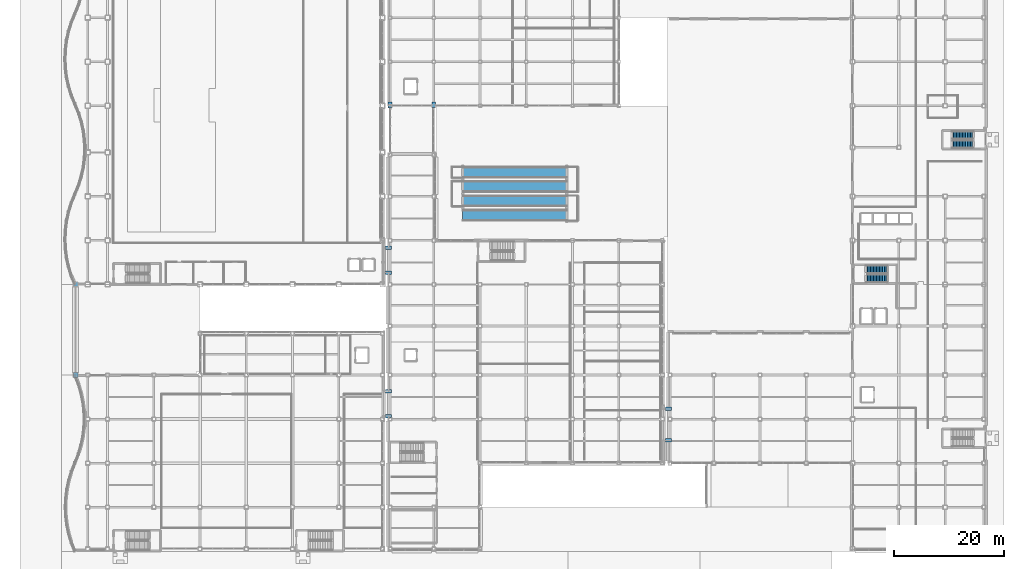
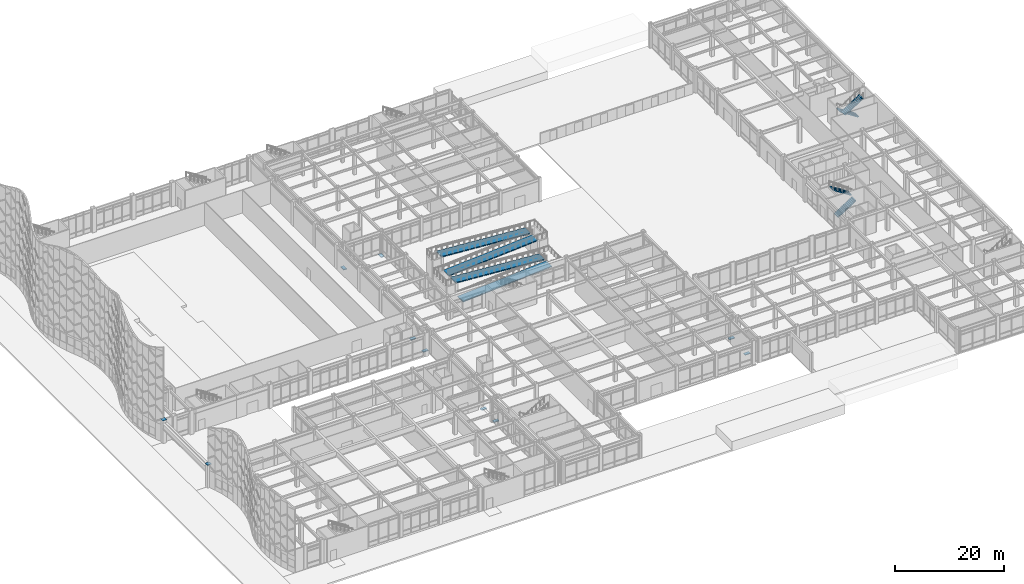
# One storey, part 138 of 165: 10 discrete accessories, 4 ramp flights, 4 stair flights, 3 elements without a shape of their own.
"""IFC4 building model written with IfcOpenShell, lengths in metres."""

from ifc_helpers import new_model, si_unit, direction, frame, origin, origin_2d, place, context, subcontext, project, spatial, polyline, rectangle, outline, extrude, material, layer, layer_set, type_object, element, aggregate, save


model = new_model("IFC4")

# Units and contexts
model_context = context("Model", 3, precision=1e-05, world=origin(), true_north=direction((0.0, 1.0)))
body_context = subcontext(model_context, "Body", "Model", "MODEL_VIEW")
ifc_project = project(units=[si_unit("LENGTHUNIT", "METRE"), si_unit("AREAUNIT", "SQUARE_METRE"), si_unit("VOLUMEUNIT", "CUBIC_METRE"), si_unit("PLANEANGLEUNIT", "RADIAN"), si_unit("MASSUNIT", "GRAM", prefix="KILO")], contexts=[model_context])

# Site, building, storey
site_placement = place(None, origin())
site = spatial("IfcSite", under=ifc_project, at=site_placement, CompositionType="ELEMENT")
building_placement = place(site_placement, origin())
building = spatial("IfcBuilding", under=site, at=building_placement, Name="Kazehara Bluff Congress Hotel", CompositionType="ELEMENT")
storey_placement = place(building_placement, origin())
storey = spatial("IfcBuildingStorey", under=building, at=storey_placement, Name="L00", CompositionType="ELEMENT", Elevation=0.0)

# Stair, stair flights
ifc_material_1 = material(Name="Concrete C36/45", Category="concrete")
stair_type = type_object("IfcStairType", Name="TP-ST-T03", PredefinedType="HALF_TURN_STAIR", material=ifc_material_1)
stair_1_placement = place(storey_placement, origin())
stair_1 = element("IfcStair", 1, at=stair_1_placement, inside=storey, type_object=stair_type, Name="L00 Escape stair ST-11", PredefinedType="HALF_TURN_STAIR")
ifc_material_2 = material(Name="Concrete C36/45", Category="concrete")
stair_flight_type = type_object("IfcStairFlightType", Name="TP-SF-T03", PredefinedType="STRAIGHT", material=ifc_material_2)
stair_flight_1_placement = place(storey_placement, frame((146.10009765625, 49.52490234375, 0.0), z_axis=(0.0, 0.0, 1.0), x_axis=(1.0, 0.0, 0.0)))
stair_flight_1 = element("IfcStairFlight", 2, at=stair_flight_1_placement, type_object=stair_flight_type, Name="ST-11 flight 1", NumberOfRisers=15, NumberOfTreads=14, PredefinedType="STRAIGHT", RiserHeight=0.18, TreadLength=0.28, context=body_context, shape_type="SweptSolid", body=[
    extrude(outline(polyline([(0.0, 0.0), (0.0, 0.179931640625), (0.280029296875, 0.179931640625), (0.280029296875, 0.360107421875), (0.56005859375, 0.360107421875), (0.56005859375, 0.5400390625), (0.840087890625, 0.5400390625), (0.840087890625, 0.719970703125), (1.1201171875, 0.719970703125), (1.1201171875, 0.89990234375), (1.39990234375, 0.89990234375), (1.39990234375, 1.080078125), (1.679931640625, 1.080078125), (1.679931640625, 1.260009765625), (1.9599609375, 1.260009765625), (1.9599609375, 1.43994140625), (2.239990234375, 1.43994140625), (2.239990234375, 1.6201171875), (2.52001953125, 1.6201171875), (2.52001953125, 1.800048828125), (2.800048828125, 1.800048828125), (2.800048828125, 1.97998046875), (3.080078125, 1.97998046875), (3.080078125, 2.159912109375), (3.360107421875, 2.159912109375), (3.360107421875, 2.340087890625), (3.639892578125, 2.340087890625), (3.639892578125, 2.52001953125), (3.919921875, 2.52001953125), (3.919921875, 2.699951171875), (3.919921875, 2.329833984375), (0.295654296875, 0.0), (0.0, 0.0)])), frame((0.0, 0.72509765625, 0.0), z_axis=(0.0, -1.0, 0.0), x_axis=(1.0, 0.0, 0.0)), (0.0, 0.0, 1.0), 1.449951171875),
])
stair_flight_2_placement = place(storey_placement, frame((150.02001953125, 51.175048828125, 2.699951171875), z_axis=(0.0, 0.0, 1.0), x_axis=(-1.0, 0.0, 0.0)))
stair_flight_2 = element("IfcStairFlight", 3, at=stair_flight_2_placement, type_object=stair_flight_type, Name="ST-11 flight 2", NumberOfRisers=15, NumberOfTreads=14, PredefinedType="STRAIGHT", RiserHeight=0.18, TreadLength=0.28, context=body_context, shape_type="SweptSolid", body=[
    extrude(outline(polyline([(0.0, 0.0), (0.0, 0.179931640625), (0.280029296875, 0.179931640625), (0.280029296875, 0.360107421875), (0.56005859375, 0.360107421875), (0.56005859375, 0.5400390625), (0.840087890625, 0.5400390625), (0.840087890625, 0.719970703125), (1.1201171875, 0.719970703125), (1.1201171875, 0.89990234375), (1.39990234375, 0.89990234375), (1.39990234375, 1.080078125), (1.679931640625, 1.080078125), (1.679931640625, 1.260009765625), (1.9599609375, 1.260009765625), (1.9599609375, 1.43994140625), (2.239990234375, 1.43994140625), (2.239990234375, 1.6201171875), (2.52001953125, 1.6201171875), (2.52001953125, 1.800048828125), (2.800048828125, 1.800048828125), (2.800048828125, 1.97998046875), (3.080078125, 1.97998046875), (3.080078125, 2.159912109375), (3.360107421875, 2.159912109375), (3.360107421875, 2.340087890625), (3.639892578125, 2.340087890625), (3.639892578125, 2.52001953125), (3.919921875, 2.52001953125), (3.919921875, 2.699951171875), (3.919921875, 2.329833984375), (0.295654296875, 0.0), (0.0, 0.0)])), frame((0.0, 0.72509765625, 0.0), z_axis=(0.0, -1.0, 0.0), x_axis=(1.0, 0.0, 0.0)), (0.0, 0.0, 1.0), 1.449951171875),
])
aggregate(stair_1, [stair_flight_1, stair_flight_2])

stair_2_placement = place(storey_placement, origin())
stair_2 = element("IfcStair", 4, at=stair_2_placement, inside=storey, type_object=stair_type, Name="L00 Escape stair ST-12", PredefinedType="HALF_TURN_STAIR")
stair_flight_3_placement = place(storey_placement, frame((165.64990234375, 75.574951171875, 0.0), z_axis=(0.0, 0.0, 1.0), x_axis=(-1.0, 0.0, 0.0)))
stair_flight_3 = element("IfcStairFlight", 5, at=stair_flight_3_placement, type_object=stair_flight_type, Name="ST-12 flight 1", NumberOfRisers=15, NumberOfTreads=14, PredefinedType="STRAIGHT", RiserHeight=0.18, TreadLength=0.28, context=body_context, shape_type="SweptSolid", body=[
    extrude(outline(polyline([(0.0, 0.0), (0.0, 0.179931640625), (0.280029296875, 0.179931640625), (0.280029296875, 0.360107421875), (0.56005859375, 0.360107421875), (0.56005859375, 0.5400390625), (0.840087890625, 0.5400390625), (0.840087890625, 0.719970703125), (1.1201171875, 0.719970703125), (1.1201171875, 0.89990234375), (1.39990234375, 0.89990234375), (1.39990234375, 1.080078125), (1.679931640625, 1.080078125), (1.679931640625, 1.260009765625), (1.9599609375, 1.260009765625), (1.9599609375, 1.43994140625), (2.239990234375, 1.43994140625), (2.239990234375, 1.6201171875), (2.52001953125, 1.6201171875), (2.52001953125, 1.800048828125), (2.800048828125, 1.800048828125), (2.800048828125, 1.97998046875), (3.080078125, 1.97998046875), (3.080078125, 2.159912109375), (3.360107421875, 2.159912109375), (3.360107421875, 2.340087890625), (3.639892578125, 2.340087890625), (3.639892578125, 2.52001953125), (3.919921875, 2.52001953125), (3.919921875, 2.699951171875), (3.919921875, 2.329833984375), (0.295654296875, 0.0), (0.0, 0.0)])), frame((0.0, 0.72509765625, 0.0), z_axis=(0.0, -1.0, 0.0), x_axis=(1.0, 0.0, 0.0)), (0.0, 0.0, 1.0), 1.449951171875),
])
stair_flight_4_placement = place(storey_placement, frame((161.72998046875, 73.925048828125, 2.699951171875), z_axis=(0.0, 0.0, 1.0), x_axis=(1.0, 0.0, 0.0)))
stair_flight_4 = element("IfcStairFlight", 6, at=stair_flight_4_placement, type_object=stair_flight_type, Name="ST-12 flight 2", NumberOfRisers=15, NumberOfTreads=14, PredefinedType="STRAIGHT", RiserHeight=0.18, TreadLength=0.28, context=body_context, shape_type="SweptSolid", body=[
    extrude(outline(polyline([(0.0, 0.0), (0.0, 0.179931640625), (0.280029296875, 0.179931640625), (0.280029296875, 0.360107421875), (0.56005859375, 0.360107421875), (0.56005859375, 0.5400390625), (0.840087890625, 0.5400390625), (0.840087890625, 0.719970703125), (1.1201171875, 0.719970703125), (1.1201171875, 0.89990234375), (1.39990234375, 0.89990234375), (1.39990234375, 1.080078125), (1.679931640625, 1.080078125), (1.679931640625, 1.260009765625), (1.9599609375, 1.260009765625), (1.9599609375, 1.43994140625), (2.239990234375, 1.43994140625), (2.239990234375, 1.6201171875), (2.52001953125, 1.6201171875), (2.52001953125, 1.800048828125), (2.800048828125, 1.800048828125), (2.800048828125, 1.97998046875), (3.080078125, 1.97998046875), (3.080078125, 2.159912109375), (3.360107421875, 2.159912109375), (3.360107421875, 2.340087890625), (3.639892578125, 2.340087890625), (3.639892578125, 2.52001953125), (3.919921875, 2.52001953125), (3.919921875, 2.699951171875), (3.919921875, 2.329833984375), (0.295654296875, 0.0), (0.0, 0.0)])), frame((0.0, 0.72509765625, 0.0), z_axis=(0.0, -1.0, 0.0), x_axis=(1.0, 0.0, 0.0)), (0.0, 0.0, 1.0), 1.449951171875),
])
aggregate(stair_2, [stair_flight_3, stair_flight_4])

# Ramp, ramp flights
ifc_material_3 = material(Name="Concrete C36/45", Category="concrete")
ramp_type = type_object("IfcRampType", Name="TP-RMP-ACC", PredefinedType="TWO_STRAIGHT_RUN_RAMP", material=ifc_material_3)
ramp_placement = place(storey_placement, origin())
ramp = element("IfcRamp", 7, at=ramp_placement, inside=storey, type_object=ramp_type, Name="Accessible bluff garden ramp R2", PredefinedType="TWO_STRAIGHT_RUN_RAMP")
ifc_material_4 = material(Name="Concrete C36/45", Category="concrete")
ifc_layer_1 = layer(ifc_material_4, 0.219970703125)
ifc_layer_set_1 = layer_set([ifc_layer_1], Name="Concrete C36/45")
ramp_flight_type = type_object("IfcRampFlightType", Name="TP-RFL-ACC", PredefinedType="STRAIGHT", material=ifc_layer_set_1)
ramp_flight_1_placement = place(storey_placement, frame((72.89990234375, 60.0, 0.0), z_axis=(-0.071251628258, 0.0, 0.997458372801), x_axis=(0.997458372801, 0.0, 0.071251628258)))
ramp_flight_1 = element("IfcRampFlight", 8, at=ramp_flight_1_placement, type_object=ramp_flight_type, Name="Accessible bluff garden ramp R2 flight F1", PredefinedType="STRAIGHT", context=body_context, shape_type="SweptSolid", body=[
    extrude(outline(polyline([(0.0, 0.0), (18.948306014318124, 0.0), (18.948306014318124, 2.0), (0.0, 2.0), (0.0, 0.0)])), origin(), (0.0, 0.0, -1.0), 0.219970703125),
])
ramp_flight_2_placement = place(storey_placement, frame((91.800048828125, 62.60009765625, 1.35009765625), z_axis=(0.07123880909, 0.0, 0.997459288432), x_axis=(-0.997459288432, 0.0, 0.07123880909)))
ramp_flight_2 = element("IfcRampFlight", 9, at=ramp_flight_2_placement, type_object=ramp_flight_type, Name="Accessible bluff garden ramp R2 flight F2", PredefinedType="STRAIGHT", context=body_context, shape_type="SweptSolid", body=[
    extrude(outline(polyline([(0.0, 0.0), (18.94828862046591, 0.0), (18.94828862046591, -2.0), (0.0, -2.0), (0.0, 0.0)])), origin(), (0.0, 0.0, -1.0), 0.219970703125),
])
ramp_flight_3_placement = place(storey_placement, frame((72.89990234375, 65.199951171875, 2.699951171875), z_axis=(-0.071251628258, 0.0, 0.997458372801), x_axis=(0.997458372801, 0.0, 0.071251628258)))
ramp_flight_3 = element("IfcRampFlight", 10, at=ramp_flight_3_placement, type_object=ramp_flight_type, Name="Accessible bluff garden ramp R2 flight F3", PredefinedType="STRAIGHT", context=body_context, shape_type="SweptSolid", body=[
    extrude(outline(polyline([(0.0, 0.0), (18.948306014318124, 0.0), (18.948306014318124, 2.0), (0.0, 2.0), (0.0, 0.0)])), origin(), (0.0, 0.0, -1.0), 0.219970703125),
])
ramp_flight_4_placement = place(storey_placement, frame((91.800048828125, 67.800048828125, 4.050048828125), z_axis=(0.07123880909, 0.0, 0.997459288432), x_axis=(-0.997459288432, 0.0, 0.07123880909)))
ramp_flight_4 = element("IfcRampFlight", 11, at=ramp_flight_4_placement, type_object=ramp_flight_type, Name="Accessible bluff garden ramp R2 flight F4", PredefinedType="STRAIGHT", context=body_context, shape_type="SweptSolid", body=[
    extrude(outline(polyline([(0.0, 0.0), (18.94828862046591, 0.0), (18.94828862046591, -2.0), (0.0, -2.0), (0.0, 0.0)])), origin(), (0.0, 0.0, -1.0), 0.219970703125),
])
aggregate(ramp, [ramp_flight_1, ramp_flight_2, ramp_flight_3, ramp_flight_4])

# Discrete accessories
ifc_material_5 = material(Name="Steel SN490B", Category="steel")
ifc_layer_2 = layer(ifc_material_5, 0.06005859375)
ifc_layer_set_2 = layer_set([ifc_layer_2], Name="Steel SN490B")
discrete_accessory_type_1 = type_object("IfcDiscreteAccessoryType", Name="TP-CAP-BLK", PredefinedType="BRACKET", material=ifc_layer_set_2)
for number, where, z_axis, x_axis, name in (
    (12, (2.60009765625, 32.0, 5.119873046875), (0.0, 0.0, 1.0), (1.0, 0.0, 0.0), "Hollow column welded cap plate L00 358"),
    (13, (2.60009765625, 48.449951171875, 5.119873046875), (0.0, 0.0, 1.0), (1.0, 0.0, 0.0), "Hollow column welded cap plate L00 359"),
):
    element("IfcDiscreteAccessory", number, at=place(storey_placement, frame(where, z_axis=z_axis, x_axis=x_axis)), inside=storey, type_object=discrete_accessory_type_1, Name=name, PredefinedType="BRACKET", context=body_context, shape_type="SweptSolid", body=[
        extrude(rectangle(XDim=0.840087890625, YDim=0.840087890625, at=origin_2d()), origin(), (0.0, 0.0, 1.0), 0.06005859375),
    ])
ifc_material_6 = material(Name="Steel SN490B", Category="steel")
ifc_layer_3 = layer(ifc_material_6, 0.179931640625)
ifc_layer_set_3 = layer_set([ifc_layer_3], Name="Steel SN490B")
discrete_accessory_type_2 = type_object("IfcDiscreteAccessoryType", Name="TP-SJ-BRG", PredefinedType="BRACKET", material=ifc_layer_set_3)
for number, where, z_axis, x_axis, name in (
    (14, (59.389892578125, 50.60009765625, -0.68017578125), (0.0, 0.0, 1.0), (1.0, 0.0, 0.0), "PTFE sliding bearing SJ-BRG BRG-14 L00-1"),
    (15, (59.389892578125, 55.10009765625, -0.68017578125), (0.0, 0.0, 1.0), (1.0, 0.0, 0.0), "PTFE sliding bearing SJ-BRG BRG-14 L00-2"),
    (16, (59.389892578125, 24.550048828125, -0.68017578125), (0.0, 0.0, 1.0), (1.0, 0.0, 0.0), "PTFE sliding bearing SJ-BRG BRG-24 L00-1"),
    (17, (59.389892578125, 29.050048828125, -0.68017578125), (0.0, 0.0, 1.0), (1.0, 0.0, 0.0), "PTFE sliding bearing SJ-BRG BRG-24 L00-2"),
):
    element("IfcDiscreteAccessory", number, at=place(storey_placement, frame(where, z_axis=z_axis, x_axis=x_axis)), inside=storey, type_object=discrete_accessory_type_2, Name=name, PredefinedType="BRACKET", context=body_context, shape_type="SweptSolid", body=[
        extrude(rectangle(XDim=1.10009765625, YDim=0.64990234375, at=origin_2d()), origin(), (0.0, 0.0, 1.0), 0.179931640625),
    ])
for number, where, z_axis, x_axis, name in (
    (18, (59.699951171875, 81.0400390625, -0.68017578125), (0.0, 0.0, 1.0), (1.0, 0.0, 0.0), "PTFE sliding bearing SJ-BRG BRG-34 L00-1"),
    (19, (67.64990234375, 81.0400390625, -0.68017578125), (0.0, 0.0, 1.0), (1.0, 0.0, 0.0), "PTFE sliding bearing SJ-BRG BRG-34 L00-2"),
):
    element("IfcDiscreteAccessory", number, at=place(storey_placement, frame(where, z_axis=z_axis, x_axis=x_axis)), inside=storey, type_object=discrete_accessory_type_2, Name=name, PredefinedType="BRACKET", context=body_context, shape_type="SweptSolid", body=[
        extrude(rectangle(XDim=0.64990234375, YDim=1.10009765625, at=origin_2d()), origin(), (0.0, 0.0, 1.0), 0.179931640625),
    ])
for number, where, z_axis, x_axis, name in (
    (20, (110.239990234375, 20.14990234375, -0.68017578125), (0.0, 0.0, 1.0), (1.0, 0.0, 0.0), "PTFE sliding bearing SJ-BRG BRG-45 L00-1"),
    (21, (110.239990234375, 25.85009765625, -0.68017578125), (0.0, 0.0, 1.0), (1.0, 0.0, 0.0), "PTFE sliding bearing SJ-BRG BRG-45 L00-2"),
):
    element("IfcDiscreteAccessory", number, at=place(storey_placement, frame(where, z_axis=z_axis, x_axis=x_axis)), inside=storey, type_object=discrete_accessory_type_2, Name=name, PredefinedType="BRACKET", context=body_context, shape_type="SweptSolid", body=[
        extrude(rectangle(XDim=1.10009765625, YDim=0.64990234375, at=origin_2d()), origin(), (0.0, 0.0, 1.0), 0.179931640625),
    ])

save(model, "model.ifc")
